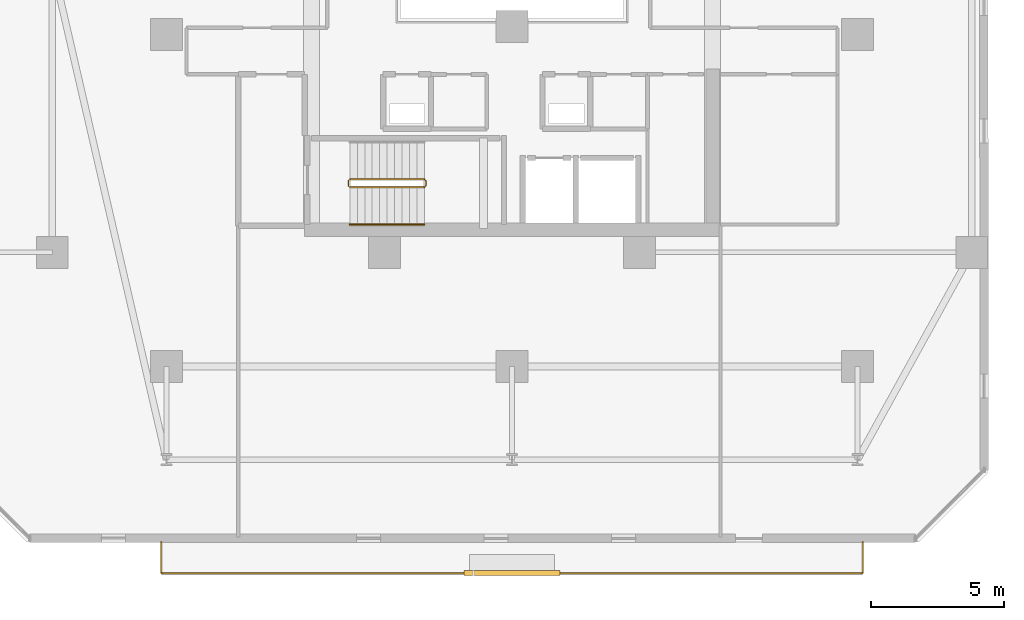
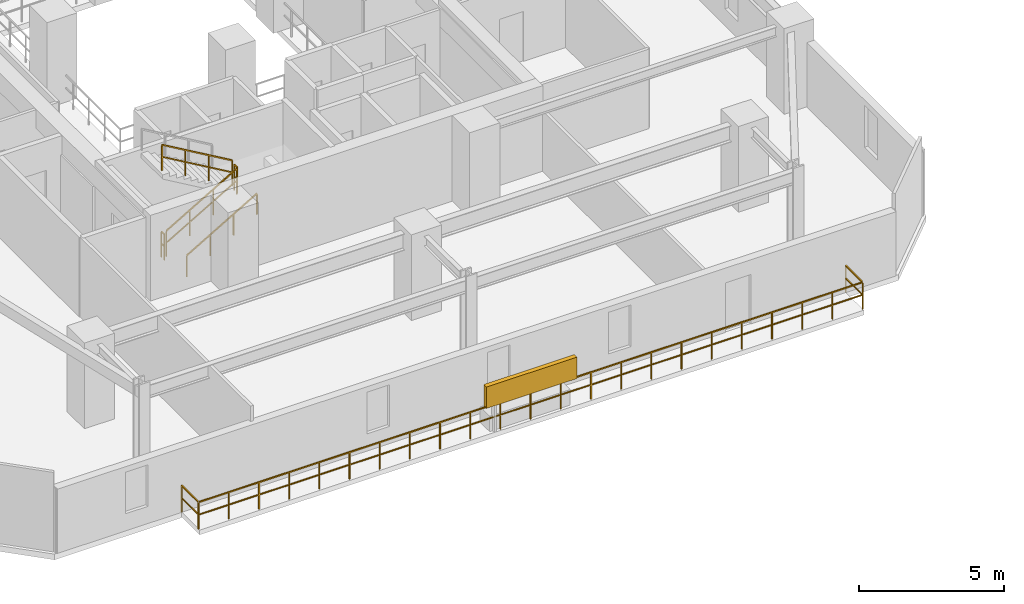
# One storey, part 27 of 31: 6 railings, 1 shading device.
"""IFC4 building model written with IfcOpenShell, lengths in metres."""

import ifcopenshell
import ifcopenshell.guid

model = None  # the IFC model being written
_history = None  # IfcOwnerHistory: only IFC2X3 demands one
_inside = {}  # id of a spatial element -> (the spatial element, [elements in it])
_under = {}  # id of a project, library or spatial element -> (it, [spatial elements below it])
_declared = {}  # id of a project -> (the project, [libraries it declares])
_typed = {}  # id of a type object -> (the type object, [elements of that type])
_made_of = {}  # id of a material, layer set ... -> (it, [elements and type objects made of it])


def new_model(schema):
    """Start an empty IFC model of exactly this schema.

    Asked for "IFC4X3", IfcOpenShell would pick the latest addendum, in which some entities
    have other attributes; the version numbers below select the first issue.
    IFC2X3 requires an IfcOwnerHistory on every rooted entity: one is made here for all.
    """
    global model, _history
    if schema == "IFC4X3":
        model = ifcopenshell.file(schema_version=(4, 3, 0, 0))
    else:
        model = ifcopenshell.file(schema=schema)
    _inside.clear()
    _under.clear()
    _declared.clear()
    _typed.clear()
    _made_of.clear()
    _history = None
    if model.schema == "IFC2X3":
        org = make("IfcOrganization", Name="unknown")
        user = make(
            "IfcPersonAndOrganization",
            ThePerson=make("IfcPerson", FamilyName="unknown"),
            TheOrganization=org,
        )
        app = make(
            "IfcApplication",
            ApplicationDeveloper=org,
            Version="unknown",
            ApplicationFullName="unknown",
            ApplicationIdentifier="unknown",
        )
        _history = make(
            "IfcOwnerHistory",
            OwningUser=user,
            OwningApplication=app,
            ChangeAction="ADDED",
            CreationDate=0,
        )
    return model


def make(cls, **values):
    """One entity of the class cls with the attributes given. An attribute that is None is left unset."""
    return model.create_entity(
        cls, **{name: value for name, value in values.items() if value is not None}
    )


def rooted(cls, **values):
    """An entity with a GlobalId (a new one), such as an element, a storey or a relation."""
    return make(cls, GlobalId=ifcopenshell.guid.new(), OwnerHistory=_history, **values)


def si_unit(unit_type, name, prefix=None):
    """IfcSIUnit, for example si_unit("LENGTHUNIT", "METRE", prefix="MILLI")."""
    return make("IfcSIUnit", UnitType=unit_type, Prefix=prefix, Name=name)


def assignment(units):
    """IfcUnitAssignment: the units of a project."""
    return None if units is None else make("IfcUnitAssignment", Units=units)


def point(xyz):
    """IfcCartesianPoint."""
    return None if xyz is None else make("IfcCartesianPoint", Coordinates=xyz)


def direction(xyz):
    """IfcDirection."""
    return None if xyz is None else make("IfcDirection", DirectionRatios=xyz)


def frame(location, z_axis=None, x_axis=None):
    """IfcAxis2Placement3D, a coordinate frame: its origin and axes. An axis left out is left unset."""
    return make(
        "IfcAxis2Placement3D",
        Location=point(location),
        Axis=direction(z_axis),
        RefDirection=direction(x_axis),
    )


def frame_2d(location, x_axis=None):
    """IfcAxis2Placement2D, a coordinate frame in the plane: its origin and x axis."""
    return make(
        "IfcAxis2Placement2D", Location=point(location), RefDirection=direction(x_axis)
    )


def origin():
    """The frame at (0, 0, 0) with its axes left unset."""
    return frame((0.0, 0.0, 0.0))


def origin_2d():
    """The frame at (0, 0) in the plane with its x axis left unset."""
    return frame_2d((0.0, 0.0))


def place(relative_to, where):
    """IfcLocalPlacement: puts the frame where relative to a parent placement (None: the world)."""
    return make(
        "IfcLocalPlacement", PlacementRelTo=relative_to, RelativePlacement=where
    )


def context(
    kind, dimensions, precision=None, world=None, true_north=None, identifier=None
):
    """IfcGeometricRepresentationContext, for example the 3D "Model" context."""
    return make(
        "IfcGeometricRepresentationContext",
        ContextIdentifier=identifier,
        ContextType=kind,
        CoordinateSpaceDimension=dimensions,
        Precision=precision,
        WorldCoordinateSystem=world,
        TrueNorth=true_north,
    )


def subcontext(parent, identifier, kind, view, scale=None):
    """IfcGeometricRepresentationSubContext, for example "Body" below "Model"."""
    return make(
        "IfcGeometricRepresentationSubContext",
        ContextIdentifier=identifier,
        ContextType=kind,
        ParentContext=parent,
        TargetScale=scale,
        TargetView=view,
    )


def project(units=None, contexts=None):
    """IfcProject with its units and contexts."""
    return rooted(
        "IfcProject",
        Name="project",
        RepresentationContexts=contexts,
        UnitsInContext=assignment(units),
    )


def spatial(cls, under=None, at=None, **own):
    """A site, building, storey or space (cls), placed at a placement, below another one or the project."""
    s = rooted(cls, ObjectPlacement=at, **own)
    if under is not None:
        _under.setdefault(under.id(), (under, []))[1].append(s)
    return s


def profile(cls, at=None, kind="AREA", **sizes):
    """A parametric profile (cls). Its sizes go by their IFC names, for example OverallWidth=200.0."""
    return make(cls, ProfileType=kind, Position=at, **sizes)


def rectangle(**sizes):
    """IfcRectangleProfileDef."""
    return profile("IfcRectangleProfileDef", **sizes)


def extrude(swept, where, along, depth):
    """IfcExtrudedAreaSolid: the profile swept, set in the frame where, extruded along a direction by depth."""
    return make(
        "IfcExtrudedAreaSolid",
        SweptArea=swept,
        Position=where,
        ExtrudedDirection=direction(along),
        Depth=depth,
    )


def shape(context_of_items, identifier, shape_type, items):
    """IfcShapeRepresentation: the items that make up one representation, for example the "Body"."""
    return make(
        "IfcShapeRepresentation",
        ContextOfItems=context_of_items,
        RepresentationIdentifier=identifier,
        RepresentationType=shape_type,
        Items=items,
    )


def material(Name=None, Category=None):
    """IfcMaterial."""
    return make("IfcMaterial", Name=Name, Category=Category)


def made_of(thing, what):
    """Note that an element or type object is made of a material, layer set ...; save() writes the relation."""
    if what is not None:
        _made_of.setdefault(what.id(), (what, []))[1].append(thing)
    return thing


def type_object(cls, material=None, **own):
    """A type object (cls), such as IfcWallType, which elements share."""
    return made_of(rooted(cls, **own), material)


def element(
    cls,
    number,
    at=None,
    inside=None,
    cuts=None,
    type_object=None,
    material=None,
    context=None,
    identifier="Body",
    shape_type=None,
    held_by="IfcProductDefinitionShape",
    body=None,
    shapes=None,
    **own,
):
    """One element of the class cls, such as IfcWall. Its Tag is "e" and its number.

    at: its placement. inside: the storey or other place that contains it. cuts: it is an
    opening in that element (IfcRelVoidsElement). A single representation is given by context,
    identifier, shape_type and body (its items); several are given by shapes. held_by: the class
    of the entity that holds the representations. save() writes the other relations.
    """
    e = rooted(cls, Tag="e%d" % number, ObjectPlacement=at, **own)
    if body is not None:
        shapes = [shape(context, identifier, shape_type, body)]
    if shapes is not None:
        e.Representation = make(held_by, Representations=shapes)
    if inside is not None:
        _inside.setdefault(inside.id(), (inside, []))[1].append(e)
    if cuts is not None:
        rooted(
            "IfcRelVoidsElement", RelatingBuildingElement=cuts, RelatedOpeningElement=e
        )
    if type_object is not None:
        _typed.setdefault(type_object.id(), (type_object, []))[1].append(e)
    return made_of(e, material)


def aggregate(whole, parts):
    """IfcRelAggregates: a whole, such as a stair, and the parts it consists of."""
    return rooted("IfcRelAggregates", RelatingObject=whole, RelatedObjects=parts)


def save(model, path):
    """Write the relations noted so far, then the file.

    IfcRelAggregates (storeys below a building ...), IfcRelContainedInSpatialStructure (elements
    in a storey), IfcRelDefinesByType, IfcRelAssociatesMaterial and IfcRelDeclares: one each for
    every whole, place, type object, material and project.
    """
    for whole, parts in _under.values():
        aggregate(whole, parts)
    for where, things in _inside.values():
        rooted(
            "IfcRelContainedInSpatialStructure",
            RelatedElements=things,
            RelatingStructure=where,
        )
    for kind, things in _typed.values():
        rooted("IfcRelDefinesByType", RelatedObjects=things, RelatingType=kind)
    for what, things in _made_of.values():
        rooted("IfcRelAssociatesMaterial", RelatedObjects=things, RelatingMaterial=what)
    for by, libraries in _declared.values():
        rooted("IfcRelDeclares", RelatingContext=by, RelatedDefinitions=libraries)
    model.write(path)


model = new_model("IFC4")

# Units and contexts
model_context = context("Model", 3, precision=1e-05, world=origin(), true_north=direction((0.0, 1.0)))
body_context = subcontext(model_context, "Body", "Model", "MODEL_VIEW")
ifc_project = project(units=[si_unit("LENGTHUNIT", "METRE"), si_unit("AREAUNIT", "SQUARE_METRE"), si_unit("VOLUMEUNIT", "CUBIC_METRE"), si_unit("PLANEANGLEUNIT", "RADIAN"), si_unit("MASSUNIT", "GRAM", prefix="KILO")], contexts=[model_context])

# Site, building, storey
site_placement = place(None, origin())
site = spatial("IfcSite", under=ifc_project, at=site_placement, CompositionType="ELEMENT")
building_placement = place(site_placement, origin())
building = spatial("IfcBuilding", under=site, at=building_placement, Name="Thornwick Lancets Civic Towers", CompositionType="ELEMENT")
storey_placement = place(building_placement, frame((0.0, 0.0, 126.89990234375)))
storey = spatial("IfcBuildingStorey", under=building, at=storey_placement, Name="L33", CompositionType="ELEMENT", Elevation=126.89990234375)

# Railings
ifc_material_1 = material(Name="Brushed stainless steel S355", Category="steel")
railing_type_1 = type_object("IfcRailingType", Name="RAIL_HANDRAIL", PredefinedType="HANDRAIL", material=ifc_material_1)
railing_1_placement = place(storey_placement, frame((19.39990234375, 15.050048828125, 0.163818359375)))
element("IfcRailing", 1, at=railing_1_placement, inside=storey, type_object=railing_type_1, Name="L33 ST-A1 stair handrail 1", PredefinedType="HANDRAIL", context=body_context, shape_type="SweptSolid", body=[
    extrude(rectangle(XDim=0.048095703125, YDim=0.048095703125, at=origin_2d()), frame((0.0, 0.0, 0.8857421875), z_axis=(0.863393664356, 0.0, 0.504530851732), x_axis=(0.0, 1.0, 0.0)), (0.0, 0.0, 1.0), 3.2431640625),
    extrude(rectangle(XDim=0.0419921875, YDim=0.0419921875, at=origin_2d()), origin(), (0.0, 0.0, 1.0), 0.855712890625),
    extrude(rectangle(XDim=0.0419921875, YDim=0.0419921875, at=origin_2d()), frame((0.933349609375, 0.0, 0.54541015625)), (0.0, 0.0, 1.0), 0.855712890625),
    extrude(rectangle(XDim=0.0419921875, YDim=0.0419921875, at=origin_2d()), frame((1.86669921875, 0.0, 1.0908203125)), (0.0, 0.0, 1.0), 0.855712890625),
    extrude(rectangle(XDim=0.0419921875, YDim=0.0419921875, at=origin_2d()), frame((2.800048828125, 0.0, 1.63623046875)), (0.0, 0.0, 1.0), 0.855712890625),
])
ifc_material_2 = material(Name="Steel S355JR", Category="steel")
railing_type_2 = type_object("IfcRailingType", Name="RAIL_STAIR_GUARD", PredefinedType="GUARDRAIL", material=ifc_material_2)
railing_2_placement = place(storey_placement, frame((19.39990234375, 16.449951171875, 0.163818359375)))
element("IfcRailing", 2, at=railing_2_placement, inside=storey, type_object=railing_type_2, Name="L33 ST-A1 stair guard 1", PredefinedType="GUARDRAIL", context=body_context, shape_type="SweptSolid", body=[
    extrude(rectangle(XDim=0.048095703125, YDim=0.048095703125, at=origin_2d()), frame((0.0, 0.0, 1.076171875), z_axis=(0.863393664356, 0.0, 0.504530851732), x_axis=(0.0, 1.0, 0.0)), (0.0, 0.0, 1.0), 3.2431640625),
    extrude(rectangle(XDim=0.0419921875, YDim=0.0419921875, at=origin_2d()), frame((0.032470703125, 0.0, 0.591064453125), z_axis=(0.863393664356, 0.0, 0.504530851732), x_axis=(0.0, 1.0, 0.0)), (0.0, 0.0, 1.0), 1.006103515625),
    extrude(rectangle(XDim=0.0419921875, YDim=0.0419921875, at=origin_2d()), frame((0.9658203125, 0.0, 1.136474609375), z_axis=(0.863393664356, 0.0, 0.504530851732), x_axis=(0.0, 1.0, 0.0)), (0.0, 0.0, 1.0), 1.006103515625),
    extrude(rectangle(XDim=0.0419921875, YDim=0.0419921875, at=origin_2d()), frame((1.899169921875, 0.0, 1.681884765625), z_axis=(0.863393664356, 0.0, 0.504530851732), x_axis=(0.0, 1.0, 0.0)), (0.0, 0.0, 1.0), 1.006103515625),
    extrude(rectangle(XDim=0.0419921875, YDim=0.0419921875, at=origin_2d()), origin(), (0.0, 0.0, 1.0), 1.0458984375),
    extrude(rectangle(XDim=0.0419921875, YDim=0.0419921875, at=origin_2d()), frame((0.933349609375, 0.0, 0.54541015625)), (0.0, 0.0, 1.0), 1.0458984375),
    extrude(rectangle(XDim=0.0419921875, YDim=0.0419921875, at=origin_2d()), frame((1.86669921875, 0.0, 1.0908203125)), (0.0, 0.0, 1.0), 1.0458984375),
    extrude(rectangle(XDim=0.0419921875, YDim=0.0419921875, at=origin_2d()), frame((2.800048828125, 0.0, 1.63623046875)), (0.0, 0.0, 1.0), 1.0458984375),
])
railing_3_placement = place(storey_placement, frame((22.25, 16.5, 1.800048828125)))
element("IfcRailing", 3, at=railing_3_placement, inside=storey, type_object=railing_type_2, Name="L33 ST-A1 stair guard 2", PredefinedType="GUARDRAIL", context=body_context, shape_type="SweptSolid", body=[
    extrude(rectangle(XDim=0.048095703125, YDim=0.048095703125, at=origin_2d()), frame((0.0, 0.0, 1.076171875), z_axis=(0.0, 1.0, 0.0), x_axis=(-1.0, 0.0, 0.0)), (0.0, 0.0, 1.0), 0.199951171875),
    extrude(rectangle(XDim=0.0419921875, YDim=0.0419921875, at=origin_2d()), frame((0.0, 0.03759765625, 0.572021484375), z_axis=(0.0, 1.0, 0.0), x_axis=(-1.0, 0.0, 0.0)), (0.0, 0.0, 1.0), 0.125),
    extrude(rectangle(XDim=0.0419921875, YDim=0.0419921875, at=origin_2d()), origin(), (0.0, 0.0, 1.0), 1.0458984375),
    extrude(rectangle(XDim=0.0419921875, YDim=0.0419921875, at=origin_2d()), frame((0.0, 0.199951171875, 0.0)), (0.0, 0.0, 1.0), 1.0458984375),
])
railing_4_placement = place(storey_placement, frame((22.199951171875, 16.75, 1.963623046875)))
element("IfcRailing", 4, at=railing_4_placement, inside=storey, type_object=railing_type_2, Name="L33 ST-A1 stair guard 3", PredefinedType="GUARDRAIL", context=body_context, shape_type="SweptSolid", body=[
    extrude(rectangle(XDim=0.048095703125, YDim=0.048095703125, at=origin_2d()), frame((0.0, 0.0, 1.076171875), z_axis=(-0.863360870873, 0.0, 0.504586966384), x_axis=(0.0, -1.0, 0.0)), (0.0, 0.0, 1.0), 3.2431640625),
    extrude(rectangle(XDim=0.0419921875, YDim=0.0419921875, at=origin_2d()), frame((-0.032470703125, 0.0, 0.591064453125), z_axis=(-0.863360870873, 0.0, 0.504586966384), x_axis=(0.0, -1.0, 0.0)), (0.0, 0.0, 1.0), 1.006103515625),
    extrude(rectangle(XDim=0.0419921875, YDim=0.0419921875, at=origin_2d()), frame((-0.9658203125, 0.0, 1.136474609375), z_axis=(-0.863360870873, 0.0, 0.504586966384), x_axis=(0.0, -1.0, 0.0)), (0.0, 0.0, 1.0), 1.006103515625),
    extrude(rectangle(XDim=0.0419921875, YDim=0.0419921875, at=origin_2d()), frame((-1.899169921875, 0.0, 1.681884765625), z_axis=(-0.863360870873, 0.0, 0.504586966384), x_axis=(0.0, -1.0, 0.0)), (0.0, 0.0, 1.0), 1.006103515625),
    extrude(rectangle(XDim=0.0419921875, YDim=0.0419921875, at=origin_2d()), origin(), (0.0, 0.0, 1.0), 1.0458984375),
    extrude(rectangle(XDim=0.0419921875, YDim=0.0419921875, at=origin_2d()), frame((-0.933349609375, 0.0, 0.54541015625)), (0.0, 0.0, 1.0), 1.0458984375),
    extrude(rectangle(XDim=0.0419921875, YDim=0.0419921875, at=origin_2d()), frame((-1.86669921875, 0.0, 1.091064453125)), (0.0, 0.0, 1.0), 1.0458984375),
    extrude(rectangle(XDim=0.0419921875, YDim=0.0419921875, at=origin_2d()), frame((-2.800048828125, 0.0, 1.636474609375)), (0.0, 0.0, 1.0), 1.0458984375),
])
railing_5_placement = place(storey_placement, frame((19.35009765625, 16.5, 0.0)))
element("IfcRailing", 5, at=railing_5_placement, inside=storey, type_object=railing_type_2, Name="L33 ST-A1 stair guard 4", PredefinedType="GUARDRAIL", context=body_context, shape_type="SweptSolid", body=[
    extrude(rectangle(XDim=0.048095703125, YDim=0.048095703125, at=origin_2d()), frame((0.0, 0.0, 1.076171875), z_axis=(0.0, 1.0, 0.0), x_axis=(-1.0, 0.0, 0.0)), (0.0, 0.0, 1.0), 0.199951171875),
    extrude(rectangle(XDim=0.0419921875, YDim=0.0419921875, at=origin_2d()), frame((0.0, 0.03759765625, 0.572021484375), z_axis=(0.0, 1.0, 0.0), x_axis=(-1.0, 0.0, 0.0)), (0.0, 0.0, 1.0), 0.125),
    extrude(rectangle(XDim=0.0419921875, YDim=0.0419921875, at=origin_2d()), origin(), (0.0, 0.0, 1.0), 1.0458984375),
    extrude(rectangle(XDim=0.0419921875, YDim=0.0419921875, at=origin_2d()), frame((0.0, 0.199951171875, 0.0)), (0.0, 0.0, 1.0), 1.0458984375),
])
ifc_material_3 = material(Name="Terracotta-capped laminated glass balustrade S355", Category="masonry")
railing_type_3 = type_object("IfcRailingType", Name="RAIL_TERR_GUARD", PredefinedType="GUARDRAIL", material=ifc_material_3)
railing_6_placement = place(storey_placement, frame((12.300048828125, 3.10009765625, 0.0)))
element("IfcRailing", 6, at=railing_6_placement, inside=storey, type_object=railing_type_3, Name="L33 Tower A Balcony Guard S", PredefinedType="GUARDRAIL", context=body_context, shape_type="SweptSolid", body=[
    extrude(rectangle(XDim=0.048095703125, YDim=0.048095703125, at=origin_2d()), frame((0.0, 0.0, 1.1259765625), z_axis=(0.0, -1.0, 0.0), x_axis=(1.0, 0.0, 0.0)), (0.0, 0.0, 1.0), 1.138916015625),
    extrude(rectangle(XDim=0.0419921875, YDim=0.0419921875, at=origin_2d()), frame((0.0, -0.03759765625, 0.597900390625), z_axis=(0.0, -1.0, 0.0), x_axis=(1.0, 0.0, 0.0)), (0.0, 0.0, 1.0), 1.09521484375),
    extrude(rectangle(XDim=0.048095703125, YDim=0.048095703125, at=origin_2d()), frame((0.03125, -1.170166015625, 1.1259765625), z_axis=(1.0, 0.0, 0.0), x_axis=(0.0, 1.0, 0.0)), (0.0, 0.0, 1.0), 26.33740234375),
    extrude(rectangle(XDim=0.0419921875, YDim=0.0419921875, at=origin_2d()), frame((0.03759765625, -1.170166015625, 0.597900390625), z_axis=(1.0, 0.0, 0.0), x_axis=(0.0, 1.0, 0.0)), (0.0, 0.0, 1.0), 1.125),
    extrude(rectangle(XDim=0.0419921875, YDim=0.0419921875, at=origin_2d()), frame((1.237548828125, -1.170166015625, 0.597900390625), z_axis=(1.0, 0.0, 0.0), x_axis=(0.0, 1.0, 0.0)), (0.0, 0.0, 1.0), 1.125),
    extrude(rectangle(XDim=0.0419921875, YDim=0.0419921875, at=origin_2d()), frame((2.4375, -1.170166015625, 0.597900390625), z_axis=(1.0, 0.0, 0.0), x_axis=(0.0, 1.0, 0.0)), (0.0, 0.0, 1.0), 1.125),
    extrude(rectangle(XDim=0.0419921875, YDim=0.0419921875, at=origin_2d()), frame((3.637451171875, -1.170166015625, 0.597900390625), z_axis=(1.0, 0.0, 0.0), x_axis=(0.0, 1.0, 0.0)), (0.0, 0.0, 1.0), 1.125),
    extrude(rectangle(XDim=0.0419921875, YDim=0.0419921875, at=origin_2d()), frame((4.83740234375, -1.170166015625, 0.597900390625), z_axis=(1.0, 0.0, 0.0), x_axis=(0.0, 1.0, 0.0)), (0.0, 0.0, 1.0), 1.125),
    extrude(rectangle(XDim=0.0419921875, YDim=0.0419921875, at=origin_2d()), frame((6.037353515625, -1.170166015625, 0.597900390625), z_axis=(1.0, 0.0, 0.0), x_axis=(0.0, 1.0, 0.0)), (0.0, 0.0, 1.0), 1.125),
    extrude(rectangle(XDim=0.0419921875, YDim=0.0419921875, at=origin_2d()), frame((7.237548828125, -1.170166015625, 0.597900390625), z_axis=(1.0, 0.0, 0.0), x_axis=(0.0, 1.0, 0.0)), (0.0, 0.0, 1.0), 1.125),
    extrude(rectangle(XDim=0.0419921875, YDim=0.0419921875, at=origin_2d()), frame((8.4375, -1.170166015625, 0.597900390625), z_axis=(1.0, 0.0, 0.0), x_axis=(0.0, 1.0, 0.0)), (0.0, 0.0, 1.0), 1.125),
    extrude(rectangle(XDim=0.0419921875, YDim=0.0419921875, at=origin_2d()), frame((9.637451171875, -1.170166015625, 0.597900390625), z_axis=(1.0, 0.0, 0.0), x_axis=(0.0, 1.0, 0.0)), (0.0, 0.0, 1.0), 1.125),
    extrude(rectangle(XDim=0.0419921875, YDim=0.0419921875, at=origin_2d()), frame((10.83740234375, -1.170166015625, 0.597900390625), z_axis=(1.0, 0.0, 0.0), x_axis=(0.0, 1.0, 0.0)), (0.0, 0.0, 1.0), 1.125),
    extrude(rectangle(XDim=0.0419921875, YDim=0.0419921875, at=origin_2d()), frame((12.037353515625, -1.170166015625, 0.597900390625), z_axis=(1.0, 0.0, 0.0), x_axis=(0.0, 1.0, 0.0)), (0.0, 0.0, 1.0), 1.125),
    extrude(rectangle(XDim=0.0419921875, YDim=0.0419921875, at=origin_2d()), frame((13.237548828125, -1.170166015625, 0.597900390625), z_axis=(1.0, 0.0, 0.0), x_axis=(0.0, 1.0, 0.0)), (0.0, 0.0, 1.0), 1.125),
    extrude(rectangle(XDim=0.0419921875, YDim=0.0419921875, at=origin_2d()), frame((14.4375, -1.170166015625, 0.597900390625), z_axis=(1.0, 0.0, 0.0), x_axis=(0.0, 1.0, 0.0)), (0.0, 0.0, 1.0), 1.125),
    extrude(rectangle(XDim=0.0419921875, YDim=0.0419921875, at=origin_2d()), frame((15.637451171875, -1.170166015625, 0.597900390625), z_axis=(1.0, 0.0, 0.0), x_axis=(0.0, 1.0, 0.0)), (0.0, 0.0, 1.0), 1.125),
    extrude(rectangle(XDim=0.0419921875, YDim=0.0419921875, at=origin_2d()), frame((16.83740234375, -1.170166015625, 0.597900390625), z_axis=(1.0, 0.0, 0.0), x_axis=(0.0, 1.0, 0.0)), (0.0, 0.0, 1.0), 1.125),
    extrude(rectangle(XDim=0.0419921875, YDim=0.0419921875, at=origin_2d()), frame((18.037353515625, -1.170166015625, 0.597900390625), z_axis=(1.0, 0.0, 0.0), x_axis=(0.0, 1.0, 0.0)), (0.0, 0.0, 1.0), 1.125),
    extrude(rectangle(XDim=0.0419921875, YDim=0.0419921875, at=origin_2d()), frame((19.2373046875, -1.170166015625, 0.597900390625), z_axis=(1.0, 0.0, 0.0), x_axis=(0.0, 1.0, 0.0)), (0.0, 0.0, 1.0), 1.125),
    extrude(rectangle(XDim=0.0419921875, YDim=0.0419921875, at=origin_2d()), frame((20.4375, -1.170166015625, 0.597900390625), z_axis=(1.0, 0.0, 0.0), x_axis=(0.0, 1.0, 0.0)), (0.0, 0.0, 1.0), 1.125),
    extrude(rectangle(XDim=0.0419921875, YDim=0.0419921875, at=origin_2d()), frame((21.637451171875, -1.170166015625, 0.597900390625), z_axis=(1.0, 0.0, 0.0), x_axis=(0.0, 1.0, 0.0)), (0.0, 0.0, 1.0), 1.125),
    extrude(rectangle(XDim=0.0419921875, YDim=0.0419921875, at=origin_2d()), frame((22.83740234375, -1.170166015625, 0.597900390625), z_axis=(1.0, 0.0, 0.0), x_axis=(0.0, 1.0, 0.0)), (0.0, 0.0, 1.0), 1.125),
    extrude(rectangle(XDim=0.0419921875, YDim=0.0419921875, at=origin_2d()), frame((24.037353515625, -1.170166015625, 0.597900390625), z_axis=(1.0, 0.0, 0.0), x_axis=(0.0, 1.0, 0.0)), (0.0, 0.0, 1.0), 1.125),
    extrude(rectangle(XDim=0.0419921875, YDim=0.0419921875, at=origin_2d()), frame((25.2373046875, -1.170166015625, 0.597900390625), z_axis=(1.0, 0.0, 0.0), x_axis=(0.0, 1.0, 0.0)), (0.0, 0.0, 1.0), 1.125),
    extrude(rectangle(XDim=0.048095703125, YDim=0.048095703125, at=origin_2d()), frame((26.39990234375, -1.138916015625, 1.1259765625), z_axis=(0.0, 1.0, 0.0), x_axis=(-1.0, 0.0, 0.0)), (0.0, 0.0, 1.0), 1.138916015625),
    extrude(rectangle(XDim=0.0419921875, YDim=0.0419921875, at=origin_2d()), frame((26.39990234375, -1.132568359375, 0.597900390625), z_axis=(0.0, 1.0, 0.0), x_axis=(-1.0, 0.0, 0.0)), (0.0, 0.0, 1.0), 1.09521484375),
    extrude(rectangle(XDim=0.0419921875, YDim=0.0419921875, at=origin_2d()), origin(), (0.0, 0.0, 1.0), 1.095703125),
    extrude(rectangle(XDim=0.0419921875, YDim=0.0419921875, at=origin_2d()), frame((0.0, -1.170166015625, 0.0)), (0.0, 0.0, 1.0), 1.095703125),
    extrude(rectangle(XDim=0.0419921875, YDim=0.0419921875, at=origin_2d()), frame((1.199951171875, -1.170166015625, 0.0)), (0.0, 0.0, 1.0), 1.095703125),
    extrude(rectangle(XDim=0.0419921875, YDim=0.0419921875, at=origin_2d()), frame((2.39990234375, -1.170166015625, 0.0)), (0.0, 0.0, 1.0), 1.095703125),
    extrude(rectangle(XDim=0.0419921875, YDim=0.0419921875, at=origin_2d()), frame((3.60009765625, -1.170166015625, 0.0)), (0.0, 0.0, 1.0), 1.095703125),
    extrude(rectangle(XDim=0.0419921875, YDim=0.0419921875, at=origin_2d()), frame((4.800048828125, -1.170166015625, 0.0)), (0.0, 0.0, 1.0), 1.095703125),
    extrude(rectangle(XDim=0.0419921875, YDim=0.0419921875, at=origin_2d()), frame((6.0, -1.170166015625, 0.0)), (0.0, 0.0, 1.0), 1.095703125),
    extrude(rectangle(XDim=0.0419921875, YDim=0.0419921875, at=origin_2d()), frame((7.199951171875, -1.170166015625, 0.0)), (0.0, 0.0, 1.0), 1.095703125),
    extrude(rectangle(XDim=0.0419921875, YDim=0.0419921875, at=origin_2d()), frame((8.39990234375, -1.170166015625, 0.0)), (0.0, 0.0, 1.0), 1.095703125),
    extrude(rectangle(XDim=0.0419921875, YDim=0.0419921875, at=origin_2d()), frame((9.599853515625, -1.170166015625, 0.0)), (0.0, 0.0, 1.0), 1.095703125),
    extrude(rectangle(XDim=0.0419921875, YDim=0.0419921875, at=origin_2d()), frame((10.800048828125, -1.170166015625, 0.0)), (0.0, 0.0, 1.0), 1.095703125),
    extrude(rectangle(XDim=0.0419921875, YDim=0.0419921875, at=origin_2d()), frame((12.0, -1.170166015625, 0.0)), (0.0, 0.0, 1.0), 1.095703125),
    extrude(rectangle(XDim=0.0419921875, YDim=0.0419921875, at=origin_2d()), frame((13.199951171875, -1.170166015625, 0.0)), (0.0, 0.0, 1.0), 1.095703125),
    extrude(rectangle(XDim=0.0419921875, YDim=0.0419921875, at=origin_2d()), frame((14.39990234375, -1.170166015625, 0.0)), (0.0, 0.0, 1.0), 1.095703125),
    extrude(rectangle(XDim=0.0419921875, YDim=0.0419921875, at=origin_2d()), frame((15.599853515625, -1.170166015625, 0.0)), (0.0, 0.0, 1.0), 1.095703125),
    extrude(rectangle(XDim=0.0419921875, YDim=0.0419921875, at=origin_2d()), frame((16.800048828125, -1.170166015625, 0.0)), (0.0, 0.0, 1.0), 1.095703125),
    extrude(rectangle(XDim=0.0419921875, YDim=0.0419921875, at=origin_2d()), frame((18.0, -1.170166015625, 0.0)), (0.0, 0.0, 1.0), 1.095703125),
    extrude(rectangle(XDim=0.0419921875, YDim=0.0419921875, at=origin_2d()), frame((19.199951171875, -1.170166015625, 0.0)), (0.0, 0.0, 1.0), 1.095703125),
    extrude(rectangle(XDim=0.0419921875, YDim=0.0419921875, at=origin_2d()), frame((20.39990234375, -1.170166015625, 0.0)), (0.0, 0.0, 1.0), 1.095703125),
    extrude(rectangle(XDim=0.0419921875, YDim=0.0419921875, at=origin_2d()), frame((21.599853515625, -1.170166015625, 0.0)), (0.0, 0.0, 1.0), 1.095703125),
    extrude(rectangle(XDim=0.0419921875, YDim=0.0419921875, at=origin_2d()), frame((22.7998046875, -1.170166015625, 0.0)), (0.0, 0.0, 1.0), 1.095703125),
    extrude(rectangle(XDim=0.0419921875, YDim=0.0419921875, at=origin_2d()), frame((24.0, -1.170166015625, 0.0)), (0.0, 0.0, 1.0), 1.095703125),
    extrude(rectangle(XDim=0.0419921875, YDim=0.0419921875, at=origin_2d()), frame((25.199951171875, -1.170166015625, 0.0)), (0.0, 0.0, 1.0), 1.095703125),
    extrude(rectangle(XDim=0.0419921875, YDim=0.0419921875, at=origin_2d()), frame((26.39990234375, -1.170166015625, 0.0)), (0.0, 0.0, 1.0), 1.095703125),
    extrude(rectangle(XDim=0.0419921875, YDim=0.0419921875, at=origin_2d()), frame((26.39990234375, 0.0, 0.0)), (0.0, 0.0, 1.0), 1.095703125),
])

# Shading device
ifc_material_4 = material(Name="Extruded terracotta baguette solar screen", Category="masonry")
shading_device_type = type_object("IfcShadingDeviceType", Name="SHADE_BAGUETTE", PredefinedType="JALOUSIE", material=ifc_material_4)
shading_device_placement = place(storey_placement, frame((25.5, 1.93994140625, 1.1201171875), z_axis=(0.0, 0.0, 1.0), x_axis=(1.0, 0.0, 0.0)))
element("IfcShadingDevice", 7, at=shading_device_placement, inside=storey, type_object=shading_device_type, Name="L33 Tower A Terracotta Baguette Screen S", PredefinedType="JALOUSIE", context=body_context, shape_type="SweptSolid", body=[
    extrude(rectangle(XDim=3.60009765625, YDim=0.179931640625, at=origin_2d()), origin(), (0.0, 0.0, 1.0), 0.89990234375),
])

save(model, "model.ifc")
